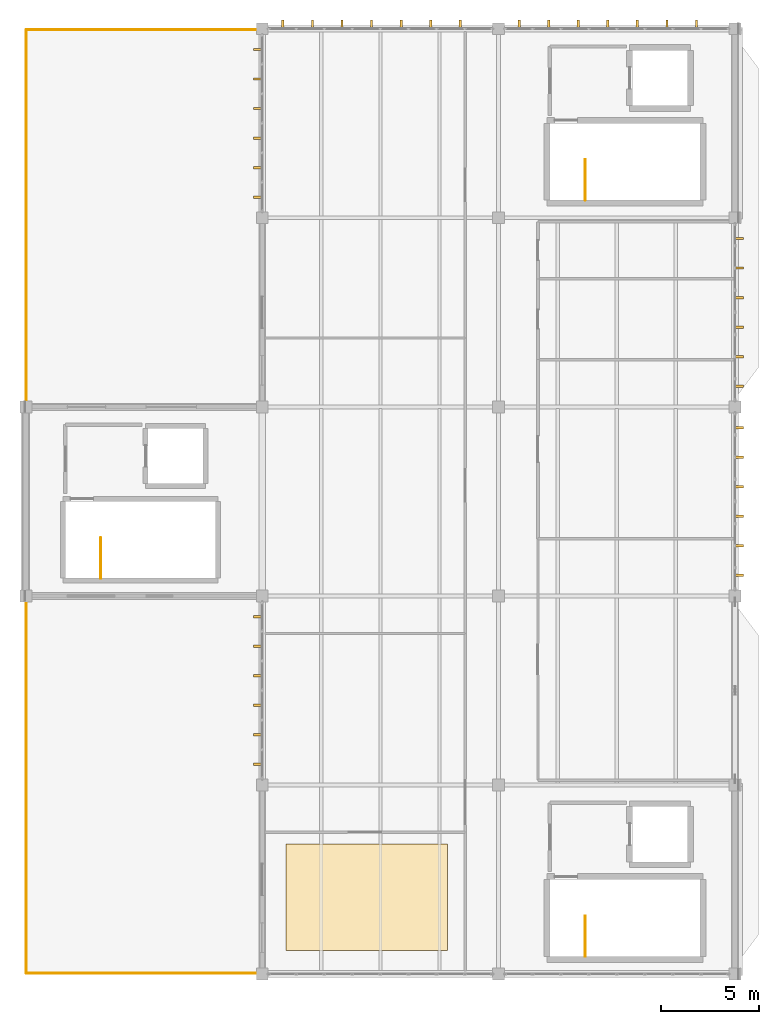
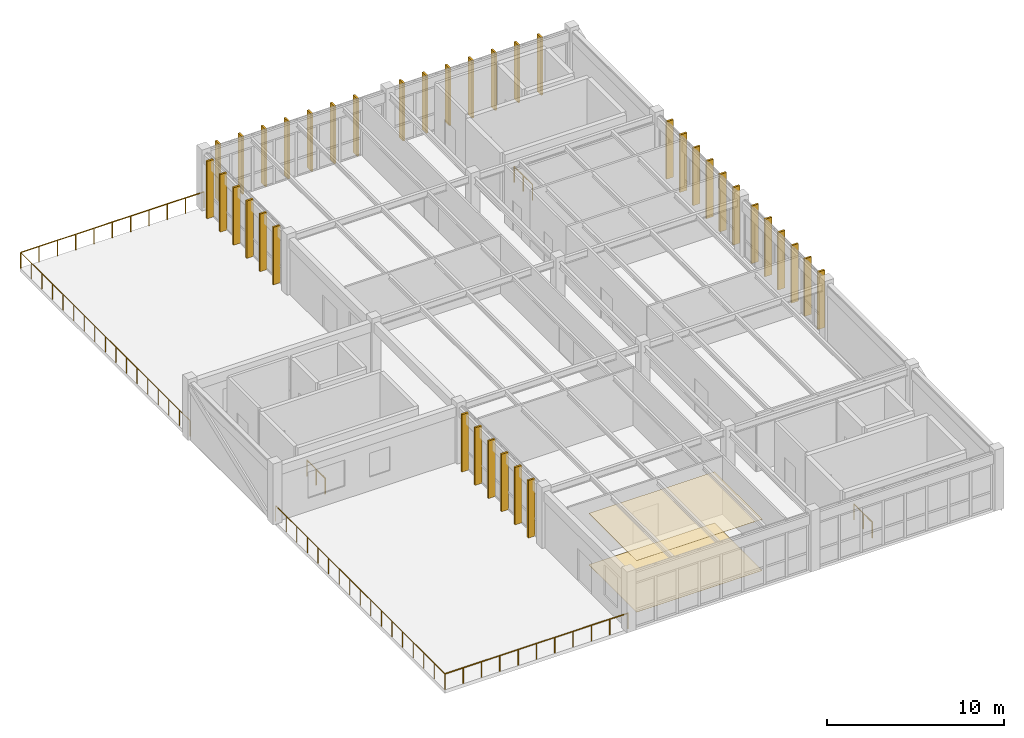
# One storey, part 28 of 28: 38 shading devices, 7 railings, 2 coverings.
"""IFC4 building model written with IfcOpenShell, lengths in metres."""

from ifc_helpers import new_model, si_unit, direction, frame, origin, origin_2d, place, context, subcontext, project, spatial, polyline, rectangle, circle, outline, extrude, material, layer, layer_set, type_object, element, save


model = new_model("IFC4")

# Units and contexts
model_context = context("Model", 3, precision=1e-05, world=origin(), true_north=direction((0.0, 1.0)))
body_context = subcontext(model_context, "Body", "Model", "MODEL_VIEW")
ifc_project = project(units=[si_unit("LENGTHUNIT", "METRE"), si_unit("AREAUNIT", "SQUARE_METRE"), si_unit("VOLUMEUNIT", "CUBIC_METRE"), si_unit("PLANEANGLEUNIT", "RADIAN"), si_unit("MASSUNIT", "GRAM", prefix="KILO")], contexts=[model_context])

# Site, building, storey
site_placement = place(None, origin())
site = spatial("IfcSite", under=ifc_project, at=site_placement, CompositionType="ELEMENT")
building_placement = place(site_placement, origin())
building = spatial("IfcBuilding", under=site, at=building_placement, Name="Pandanus Reach Market Hall", CompositionType="ELEMENT")
storey_placement = place(building_placement, frame((0.0, 0.0, 18.60009765625)))
storey = spatial("IfcBuildingStorey", under=building, at=storey_placement, Name="L04", CompositionType="ELEMENT", Elevation=18.60009765625)

# Railings
ifc_material_1 = material(Name="Galvanised steel Grade 350 (350 MPa)", Category="steel")
railing_type_1 = type_object("IfcRailingType", Name="BL-EXT-110", PredefinedType="BALUSTRADE", material=ifc_material_1)
railing_1_placement = place(storey_placement, frame((144.026611328125, 28.84228515625, 0.0)))
element("IfcRailing", 1, at=railing_1_placement, inside=storey, type_object=railing_type_1, Name="Terrace balustrade L04.19", PredefinedType="BALUSTRADE", context=body_context, shape_type="SweptSolid", body=[
    extrude(circle(Radius=0.02392578125, at=origin_2d()), frame((0.0, 0.0, 1.076171875), z_axis=(1.0, 0.0, 0.0), x_axis=(0.0, 1.0, 0.0)), (0.0, 0.0, 1.0), 11.94677734375),
    extrude(circle(Radius=0.02099609375, at=origin_2d()), origin(), (0.0, 0.0, 1.0), 1.052001953125),
    extrude(circle(Radius=0.02099609375, at=origin_2d()), frame((1.194580078125, 0.0, 0.0)), (0.0, 0.0, 1.0), 1.052001953125),
    extrude(circle(Radius=0.02099609375, at=origin_2d()), frame((2.389404296875, 0.0, 0.0)), (0.0, 0.0, 1.0), 1.052001953125),
    extrude(circle(Radius=0.02099609375, at=origin_2d()), frame((3.583984375, 0.0, 0.0)), (0.0, 0.0, 1.0), 1.052001953125),
    extrude(circle(Radius=0.02099609375, at=origin_2d()), frame((4.77880859375, 0.0, 0.0)), (0.0, 0.0, 1.0), 1.052001953125),
    extrude(circle(Radius=0.02099609375, at=origin_2d()), frame((5.973388671875, 0.0, 0.0)), (0.0, 0.0, 1.0), 1.052001953125),
    extrude(circle(Radius=0.02099609375, at=origin_2d()), frame((7.16796875, 0.0, 0.0)), (0.0, 0.0, 1.0), 1.052001953125),
    extrude(circle(Radius=0.02099609375, at=origin_2d()), frame((8.36279296875, 0.0, 0.0)), (0.0, 0.0, 1.0), 1.052001953125),
    extrude(circle(Radius=0.02099609375, at=origin_2d()), frame((9.557373046875, 0.0, 0.0)), (0.0, 0.0, 1.0), 1.052001953125),
    extrude(circle(Radius=0.02099609375, at=origin_2d()), frame((10.752197265625, 0.0, 0.0)), (0.0, 0.0, 1.0), 1.052001953125),
    extrude(circle(Radius=0.02099609375, at=origin_2d()), frame((11.94677734375, 0.0, 0.0)), (0.0, 0.0, 1.0), 1.052001953125),
])
railing_2_placement = place(storey_placement, frame((144.026611328125, 47.95751953125, 0.0)))
element("IfcRailing", 2, at=railing_2_placement, inside=storey, type_object=railing_type_1, Name="Terrace balustrade L04.20", PredefinedType="BALUSTRADE", context=body_context, shape_type="SweptSolid", body=[
    extrude(circle(Radius=0.02392578125, at=origin_2d()), frame((0.0, 0.0, 1.076171875), z_axis=(0.0, -1.0, 0.0), x_axis=(1.0, 0.0, 0.0)), (0.0, 0.0, 1.0), 19.115234375),
    extrude(circle(Radius=0.02099609375, at=origin_2d()), origin(), (0.0, 0.0, 1.0), 1.052001953125),
    extrude(circle(Radius=0.02099609375, at=origin_2d()), frame((0.0, -1.19482421875, 0.0)), (0.0, 0.0, 1.0), 1.052001953125),
    extrude(circle(Radius=0.02099609375, at=origin_2d()), frame((0.0, -2.389404296875, 0.0)), (0.0, 0.0, 1.0), 1.052001953125),
    extrude(circle(Radius=0.02099609375, at=origin_2d()), frame((0.0, -3.583984375, 0.0)), (0.0, 0.0, 1.0), 1.052001953125),
    extrude(circle(Radius=0.02099609375, at=origin_2d()), frame((0.0, -4.77880859375, 0.0)), (0.0, 0.0, 1.0), 1.052001953125),
    extrude(circle(Radius=0.02099609375, at=origin_2d()), frame((0.0, -5.9736328125, 0.0)), (0.0, 0.0, 1.0), 1.052001953125),
    extrude(circle(Radius=0.02099609375, at=origin_2d()), frame((0.0, -7.168212890625, 0.0)), (0.0, 0.0, 1.0), 1.052001953125),
    extrude(circle(Radius=0.02099609375, at=origin_2d()), frame((0.0, -8.36279296875, 0.0)), (0.0, 0.0, 1.0), 1.052001953125),
    extrude(circle(Radius=0.02099609375, at=origin_2d()), frame((0.0, -9.5576171875, 0.0)), (0.0, 0.0, 1.0), 1.052001953125),
    extrude(circle(Radius=0.02099609375, at=origin_2d()), frame((0.0, -10.75244140625, 0.0)), (0.0, 0.0, 1.0), 1.052001953125),
    extrude(circle(Radius=0.02099609375, at=origin_2d()), frame((0.0, -11.947021484375, 0.0)), (0.0, 0.0, 1.0), 1.052001953125),
    extrude(circle(Radius=0.02099609375, at=origin_2d()), frame((0.0, -13.1416015625, 0.0)), (0.0, 0.0, 1.0), 1.052001953125),
    extrude(circle(Radius=0.02099609375, at=origin_2d()), frame((0.0, -14.33642578125, 0.0)), (0.0, 0.0, 1.0), 1.052001953125),
    extrude(circle(Radius=0.02099609375, at=origin_2d()), frame((0.0, -15.53125, 0.0)), (0.0, 0.0, 1.0), 1.052001953125),
    extrude(circle(Radius=0.02099609375, at=origin_2d()), frame((0.0, -16.725830078125, 0.0)), (0.0, 0.0, 1.0), 1.052001953125),
    extrude(circle(Radius=0.02099609375, at=origin_2d()), frame((0.0, -17.92041015625, 0.0)), (0.0, 0.0, 1.0), 1.052001953125),
    extrude(circle(Radius=0.02099609375, at=origin_2d()), frame((0.0, -19.115234375, 0.0)), (0.0, 0.0, 1.0), 1.052001953125),
])
railing_3_placement = place(storey_placement, frame((155.973388671875, 76.757568359375, 0.0)))
element("IfcRailing", 3, at=railing_3_placement, inside=storey, type_object=railing_type_1, Name="Terrace balustrade L04.21", PredefinedType="BALUSTRADE", context=body_context, shape_type="SweptSolid", body=[
    extrude(circle(Radius=0.02392578125, at=origin_2d()), frame((0.0, 0.0, 1.076171875), z_axis=(-1.0, 0.0, 0.0), x_axis=(0.0, -1.0, 0.0)), (0.0, 0.0, 1.0), 11.94677734375),
    extrude(circle(Radius=0.02099609375, at=origin_2d()), origin(), (0.0, 0.0, 1.0), 1.052001953125),
    extrude(circle(Radius=0.02099609375, at=origin_2d()), frame((-1.194580078125, 0.0, 0.0)), (0.0, 0.0, 1.0), 1.052001953125),
    extrude(circle(Radius=0.02099609375, at=origin_2d()), frame((-2.389404296875, 0.0, 0.0)), (0.0, 0.0, 1.0), 1.052001953125),
    extrude(circle(Radius=0.02099609375, at=origin_2d()), frame((-3.583984375, 0.0, 0.0)), (0.0, 0.0, 1.0), 1.052001953125),
    extrude(circle(Radius=0.02099609375, at=origin_2d()), frame((-4.77880859375, 0.0, 0.0)), (0.0, 0.0, 1.0), 1.052001953125),
    extrude(circle(Radius=0.02099609375, at=origin_2d()), frame((-5.973388671875, 0.0, 0.0)), (0.0, 0.0, 1.0), 1.052001953125),
    extrude(circle(Radius=0.02099609375, at=origin_2d()), frame((-7.16796875, 0.0, 0.0)), (0.0, 0.0, 1.0), 1.052001953125),
    extrude(circle(Radius=0.02099609375, at=origin_2d()), frame((-8.36279296875, 0.0, 0.0)), (0.0, 0.0, 1.0), 1.052001953125),
    extrude(circle(Radius=0.02099609375, at=origin_2d()), frame((-9.557373046875, 0.0, 0.0)), (0.0, 0.0, 1.0), 1.052001953125),
    extrude(circle(Radius=0.02099609375, at=origin_2d()), frame((-10.752197265625, 0.0, 0.0)), (0.0, 0.0, 1.0), 1.052001953125),
    extrude(circle(Radius=0.02099609375, at=origin_2d()), frame((-11.94677734375, 0.0, 0.0)), (0.0, 0.0, 1.0), 1.052001953125),
])
railing_4_placement = place(storey_placement, frame((144.026611328125, 76.757568359375, 0.0)))
element("IfcRailing", 4, at=railing_4_placement, inside=storey, type_object=railing_type_1, Name="Terrace balustrade L04.22", PredefinedType="BALUSTRADE", context=body_context, shape_type="SweptSolid", body=[
    extrude(circle(Radius=0.02392578125, at=origin_2d()), frame((0.0, 0.0, 1.076171875), z_axis=(0.0, -1.0, 0.0), x_axis=(1.0, 0.0, 0.0)), (0.0, 0.0, 1.0), 19.115234375),
    extrude(circle(Radius=0.02099609375, at=origin_2d()), origin(), (0.0, 0.0, 1.0), 1.052001953125),
    extrude(circle(Radius=0.02099609375, at=origin_2d()), frame((0.0, -1.19482421875, 0.0)), (0.0, 0.0, 1.0), 1.052001953125),
    extrude(circle(Radius=0.02099609375, at=origin_2d()), frame((0.0, -2.389404296875, 0.0)), (0.0, 0.0, 1.0), 1.052001953125),
    extrude(circle(Radius=0.02099609375, at=origin_2d()), frame((0.0, -3.583984375, 0.0)), (0.0, 0.0, 1.0), 1.052001953125),
    extrude(circle(Radius=0.02099609375, at=origin_2d()), frame((0.0, -4.77880859375, 0.0)), (0.0, 0.0, 1.0), 1.052001953125),
    extrude(circle(Radius=0.02099609375, at=origin_2d()), frame((0.0, -5.9736328125, 0.0)), (0.0, 0.0, 1.0), 1.052001953125),
    extrude(circle(Radius=0.02099609375, at=origin_2d()), frame((0.0, -7.168212890625, 0.0)), (0.0, 0.0, 1.0), 1.052001953125),
    extrude(circle(Radius=0.02099609375, at=origin_2d()), frame((0.0, -8.36279296875, 0.0)), (0.0, 0.0, 1.0), 1.052001953125),
    extrude(circle(Radius=0.02099609375, at=origin_2d()), frame((0.0, -9.5576171875, 0.0)), (0.0, 0.0, 1.0), 1.052001953125),
    extrude(circle(Radius=0.02099609375, at=origin_2d()), frame((0.0, -10.75244140625, 0.0)), (0.0, 0.0, 1.0), 1.052001953125),
    extrude(circle(Radius=0.02099609375, at=origin_2d()), frame((0.0, -11.947021484375, 0.0)), (0.0, 0.0, 1.0), 1.052001953125),
    extrude(circle(Radius=0.02099609375, at=origin_2d()), frame((0.0, -13.1416015625, 0.0)), (0.0, 0.0, 1.0), 1.052001953125),
    extrude(circle(Radius=0.02099609375, at=origin_2d()), frame((0.0, -14.33642578125, 0.0)), (0.0, 0.0, 1.0), 1.052001953125),
    extrude(circle(Radius=0.02099609375, at=origin_2d()), frame((0.0, -15.53125, 0.0)), (0.0, 0.0, 1.0), 1.052001953125),
    extrude(circle(Radius=0.02099609375, at=origin_2d()), frame((0.0, -16.725830078125, 0.0)), (0.0, 0.0, 1.0), 1.052001953125),
    extrude(circle(Radius=0.02099609375, at=origin_2d()), frame((0.0, -17.92041015625, 0.0)), (0.0, 0.0, 1.0), 1.052001953125),
    extrude(circle(Radius=0.02099609375, at=origin_2d()), frame((0.0, -19.115234375, 0.0)), (0.0, 0.0, 1.0), 1.052001953125),
])

# Coverings
ifc_material_2 = material(Name="Perforated acoustic gypsum board", Category="gypsum")
ifc_layer_1 = layer(ifc_material_2, 0.02001953125, Name="CLG-ACT-20")
ifc_layer_set_1 = layer_set([ifc_layer_1], Name="Perforated acoustic gypsum board")
covering_type_1 = type_object("IfcCoveringType", Name="CLG-ACT-20", PredefinedType="CEILING", material=ifc_layer_set_1)
covering_1_placement = place(storey_placement, frame((0.0, 0.0, 3.53662109375)))
element("IfcCovering", 5, at=covering_1_placement, inside=storey, type_object=covering_type_1, Name="Perforated acoustic ceiling L04.8", PredefinedType="CEILING", context=body_context, shape_type="SweptSolid", body=[
    extrude(outline(polyline([(157.199951171875, 30.0), (165.39990234375, 30.0), (165.39990234375, 35.39990234375), (157.199951171875, 35.39990234375), (157.199951171875, 30.0)])), origin(), (0.0, 0.0, 1.0), 0.019775390625),
])
ifc_material_3 = material(Name="Washable coved epoxy terrazzo flooring")
ifc_layer_2 = layer(ifc_material_3, 0.014892578125, Name="FLR-EPX-15")
ifc_layer_set_2 = layer_set([ifc_layer_2], Name="Washable coved epoxy terrazzo flooring")
covering_type_2 = type_object("IfcCoveringType", Name="FLR-EPX-15", PredefinedType="FLOORING", material=ifc_layer_set_2)
covering_2_placement = place(storey_placement, origin())
element("IfcCovering", 6, at=covering_2_placement, inside=storey, type_object=covering_type_2, Name="Washable epoxy terrazzo flooring L04.8", PredefinedType="FLOORING", context=body_context, shape_type="SweptSolid", body=[
    extrude(outline(polyline([(157.199951171875, 30.0), (165.39990234375, 30.0), (165.39990234375, 35.39990234375), (157.199951171875, 35.39990234375), (157.199951171875, 30.0)])), origin(), (0.0, 0.0, 1.0), 0.014892578125),
])

# Shading devices
ifc_material_4 = material(Name="Precast concrete S50 (50 MPa)", Category="concrete")
shading_device_type = type_object("IfcShadingDeviceType", Name="FN-S50-450", PredefinedType="JALOUSIE", material=ifc_material_4)
for number, where, z_axis, x_axis, name in (
    (7, (157.050048828125, 77.02001953125, -0.01025390625), (0.0, 0.0, 1.0), (0.0, 1.0, 0.0), "Precast brise-soleil fin 567"),
    (8, (158.550048828125, 77.02001953125, -0.01025390625), (0.0, 0.0, 1.0), (0.0, 1.0, 0.0), "Precast brise-soleil fin 568"),
    (9, (160.050048828125, 77.02001953125, -0.01025390625), (0.0, 0.0, 1.0), (0.0, 1.0, 0.0), "Precast brise-soleil fin 569"),
    (10, (161.550048828125, 77.02001953125, -0.01025390625), (0.0, 0.0, 1.0), (0.0, 1.0, 0.0), "Precast brise-soleil fin 570"),
    (11, (163.050048828125, 77.02001953125, -0.01025390625), (0.0, 0.0, 1.0), (0.0, 1.0, 0.0), "Precast brise-soleil fin 571"),
    (12, (164.550048828125, 77.02001953125, -0.01025390625), (0.0, 0.0, 1.0), (0.0, 1.0, 0.0), "Precast brise-soleil fin 572"),
    (13, (166.050048828125, 77.02001953125, -0.01025390625), (0.0, 0.0, 1.0), (0.0, 1.0, 0.0), "Precast brise-soleil fin 573"),
    (14, (169.050048828125, 77.02001953125, -0.01025390625), (0.0, 0.0, 1.0), (0.0, 1.0, 0.0), "Precast brise-soleil fin 574"),
    (15, (170.550048828125, 77.02001953125, -0.01025390625), (0.0, 0.0, 1.0), (0.0, 1.0, 0.0), "Precast brise-soleil fin 575"),
    (16, (172.050048828125, 77.02001953125, -0.01025390625), (0.0, 0.0, 1.0), (0.0, 1.0, 0.0), "Precast brise-soleil fin 576"),
    (17, (173.550048828125, 77.02001953125, -0.01025390625), (0.0, 0.0, 1.0), (0.0, 1.0, 0.0), "Precast brise-soleil fin 577"),
    (18, (175.050048828125, 77.02001953125, -0.01025390625), (0.0, 0.0, 1.0), (0.0, 1.0, 0.0), "Precast brise-soleil fin 578"),
    (19, (176.550048828125, 77.02001953125, -0.01025390625), (0.0, 0.0, 1.0), (0.0, 1.0, 0.0), "Precast brise-soleil fin 579"),
    (20, (178.050048828125, 77.02001953125, -0.01025390625), (0.0, 0.0, 1.0), (0.0, 1.0, 0.0), "Precast brise-soleil fin 580"),
    (21, (180.219970703125, 49.050048828125, -0.01025390625), (0.0, 0.0, 1.0), (1.0, 0.0, 0.0), "Precast brise-soleil fin 581"),
    (22, (180.219970703125, 50.550048828125, -0.01025390625), (0.0, 0.0, 1.0), (1.0, 0.0, 0.0), "Precast brise-soleil fin 582"),
    (23, (180.219970703125, 52.050048828125, -0.01025390625), (0.0, 0.0, 1.0), (1.0, 0.0, 0.0), "Precast brise-soleil fin 583"),
    (24, (180.219970703125, 53.550048828125, -0.01025390625), (0.0, 0.0, 1.0), (1.0, 0.0, 0.0), "Precast brise-soleil fin 584"),
    (25, (180.219970703125, 55.050048828125, -0.01025390625), (0.0, 0.0, 1.0), (1.0, 0.0, 0.0), "Precast brise-soleil fin 585"),
    (26, (180.219970703125, 56.550048828125, -0.01025390625), (0.0, 0.0, 1.0), (1.0, 0.0, 0.0), "Precast brise-soleil fin 586"),
    (27, (180.219970703125, 58.64990234375, -0.01025390625), (0.0, 0.0, 1.0), (1.0, 0.0, 0.0), "Precast brise-soleil fin 587"),
    (28, (180.219970703125, 60.14990234375, -0.01025390625), (0.0, 0.0, 1.0), (1.0, 0.0, 0.0), "Precast brise-soleil fin 588"),
    (29, (180.219970703125, 61.64990234375, -0.01025390625), (0.0, 0.0, 1.0), (1.0, 0.0, 0.0), "Precast brise-soleil fin 589"),
    (30, (180.219970703125, 63.14990234375, -0.01025390625), (0.0, 0.0, 1.0), (1.0, 0.0, 0.0), "Precast brise-soleil fin 590"),
    (31, (180.219970703125, 64.64990234375, -0.01025390625), (0.0, 0.0, 1.0), (1.0, 0.0, 0.0), "Precast brise-soleil fin 591"),
    (32, (180.219970703125, 66.14990234375, -0.01025390625), (0.0, 0.0, 1.0), (1.0, 0.0, 0.0), "Precast brise-soleil fin 592"),
    (33, (155.780029296875, 39.449951171875, -0.01025390625), (0.0, 0.0, 1.0), (-1.0, 0.0, 0.0), "Precast brise-soleil fin 593"),
    (34, (155.780029296875, 40.949951171875, -0.01025390625), (0.0, 0.0, 1.0), (-1.0, 0.0, 0.0), "Precast brise-soleil fin 594"),
    (35, (155.780029296875, 42.449951171875, -0.01025390625), (0.0, 0.0, 1.0), (-1.0, 0.0, 0.0), "Precast brise-soleil fin 595"),
    (36, (155.780029296875, 43.949951171875, -0.01025390625), (0.0, 0.0, 1.0), (-1.0, 0.0, 0.0), "Precast brise-soleil fin 596"),
    (37, (155.780029296875, 45.449951171875, -0.01025390625), (0.0, 0.0, 1.0), (-1.0, 0.0, 0.0), "Precast brise-soleil fin 597"),
    (38, (155.780029296875, 46.949951171875, -0.01025390625), (0.0, 0.0, 1.0), (-1.0, 0.0, 0.0), "Precast brise-soleil fin 598"),
    (39, (155.780029296875, 68.25, -0.01025390625), (0.0, 0.0, 1.0), (-1.0, 0.0, 0.0), "Precast brise-soleil fin 599"),
    (40, (155.780029296875, 69.75, -0.01025390625), (0.0, 0.0, 1.0), (-1.0, 0.0, 0.0), "Precast brise-soleil fin 600"),
    (41, (155.780029296875, 71.25, -0.01025390625), (0.0, 0.0, 1.0), (-1.0, 0.0, 0.0), "Precast brise-soleil fin 601"),
    (42, (155.780029296875, 72.75, -0.01025390625), (0.0, 0.0, 1.0), (-1.0, 0.0, 0.0), "Precast brise-soleil fin 602"),
    (43, (155.780029296875, 74.25, -0.01025390625), (0.0, 0.0, 1.0), (-1.0, 0.0, 0.0), "Precast brise-soleil fin 603"),
    (44, (155.780029296875, 75.75, -0.01025390625), (0.0, 0.0, 1.0), (-1.0, 0.0, 0.0), "Precast brise-soleil fin 604"),
):
    element("IfcShadingDevice", number, at=place(storey_placement, frame(where, z_axis=z_axis, x_axis=x_axis)), inside=storey, type_object=shading_device_type, Name=name, PredefinedType="JALOUSIE", context=body_context, shape_type="SweptSolid", body=[
        extrude(rectangle(XDim=0.449951171875, YDim=0.1201171875, at=origin_2d()), origin(), (0.0, 0.0, 1.0), 3.969970703125),
    ])

# Railings
railing_type_2 = type_object("IfcRailingType", Name="GR-INT-110", PredefinedType="GUARDRAIL", material=ifc_material_1)
railing_5_placement = place(storey_placement, frame((172.39990234375, 29.699951171875, 0.0)))
element("IfcRailing", 45, at=railing_5_placement, inside=storey, type_object=railing_type_2, Name="Stair well top guard ST-01.31", PredefinedType="GUARDRAIL", context=body_context, shape_type="SweptSolid", body=[
    extrude(circle(Radius=0.02392578125, at=origin_2d()), frame((0.0, 0.0, 1.076171875), z_axis=(0.0, 1.0, 0.0), x_axis=(-1.0, 0.0, 0.0)), (0.0, 0.0, 1.0), 2.050048828125),
    extrude(circle(Radius=0.02099609375, at=origin_2d()), origin(), (0.0, 0.0, 1.0), 1.052001953125),
    extrude(circle(Radius=0.02099609375, at=origin_2d()), frame((0.0, 1.02490234375, 0.0)), (0.0, 0.0, 1.0), 1.052001953125),
    extrude(circle(Radius=0.02099609375, at=origin_2d()), frame((0.0, 2.050048828125, 0.0)), (0.0, 0.0, 1.0), 1.052001953125),
])
railing_6_placement = place(storey_placement, frame((172.39990234375, 68.10009765625, 0.0)))
element("IfcRailing", 46, at=railing_6_placement, inside=storey, type_object=railing_type_2, Name="Stair well top guard ST-02.62", PredefinedType="GUARDRAIL", context=body_context, shape_type="SweptSolid", body=[
    extrude(circle(Radius=0.02392578125, at=origin_2d()), frame((0.0, 0.0, 1.076171875), z_axis=(0.0, 1.0, 0.0), x_axis=(-1.0, 0.0, 0.0)), (0.0, 0.0, 1.0), 2.0498046875),
    extrude(circle(Radius=0.02099609375, at=origin_2d()), origin(), (0.0, 0.0, 1.0), 1.052001953125),
    extrude(circle(Radius=0.02099609375, at=origin_2d()), frame((0.0, 1.02490234375, 0.0)), (0.0, 0.0, 1.0), 1.052001953125),
    extrude(circle(Radius=0.02099609375, at=origin_2d()), frame((0.0, 2.0498046875, 0.0)), (0.0, 0.0, 1.0), 1.052001953125),
])
railing_7_placement = place(storey_placement, frame((147.800048828125, 48.89990234375, 0.0)))
element("IfcRailing", 47, at=railing_7_placement, inside=storey, type_object=railing_type_2, Name="Stair well top guard ST-03.93", PredefinedType="GUARDRAIL", context=body_context, shape_type="SweptSolid", body=[
    extrude(circle(Radius=0.02392578125, at=origin_2d()), frame((0.0, 0.0, 1.076171875), z_axis=(0.0, 1.0, 0.0), x_axis=(-1.0, 0.0, 0.0)), (0.0, 0.0, 1.0), 2.050048828125),
    extrude(circle(Radius=0.02099609375, at=origin_2d()), origin(), (0.0, 0.0, 1.0), 1.052001953125),
    extrude(circle(Radius=0.02099609375, at=origin_2d()), frame((0.0, 1.02490234375, 0.0)), (0.0, 0.0, 1.0), 1.052001953125),
    extrude(circle(Radius=0.02099609375, at=origin_2d()), frame((0.0, 2.050048828125, 0.0)), (0.0, 0.0, 1.0), 1.052001953125),
])

save(model, "model.ifc")
